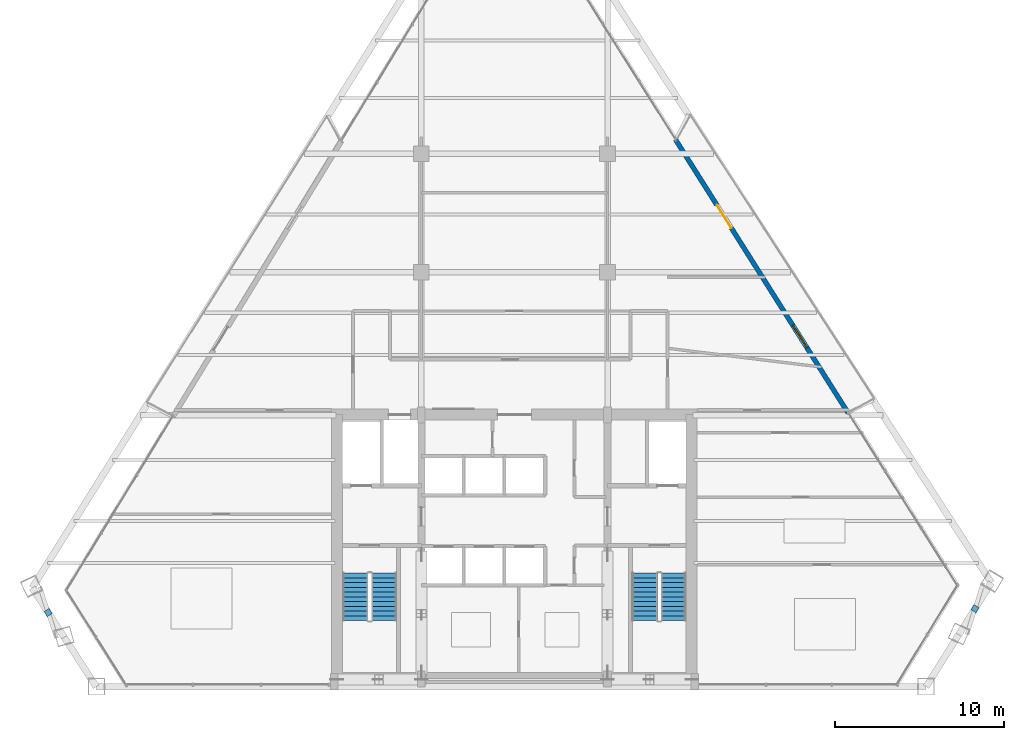
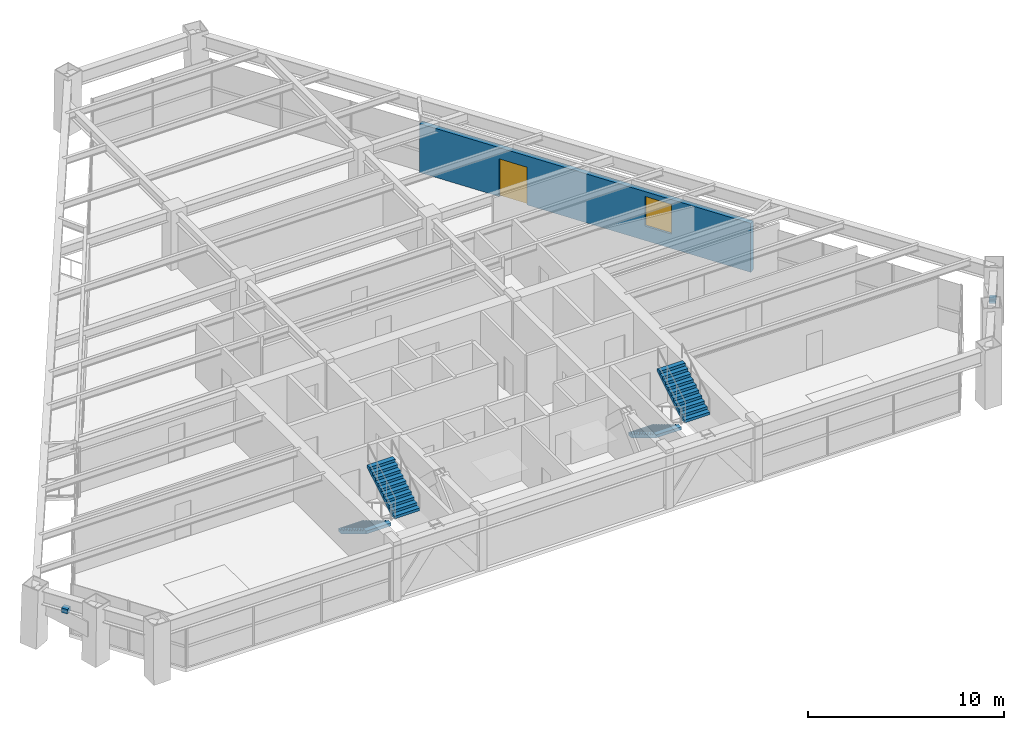
# One storey, part 11 of 13: 4 stair flights, 2 discrete accessories, 1 door, 1 wall, 1 window, 2 openings, 2 elements without a shape of their own.
"""IFC4 building model written with IfcOpenShell, lengths in metres."""

from ifc_helpers import new_model, si_unit, direction, frame, frame_2d, origin, origin_2d, place, context, subcontext, project, spatial, polyline, rectangle, outline, extrude, source, transform, mapped, material, layer, layer_set, type_object, type_shapes, element, fill, aggregate, save


model = new_model("IFC4")

# Units and contexts
model_context = context("Model", 3, precision=1e-05, world=origin(), true_north=direction((0.0, 1.0)))
body_context = subcontext(model_context, "Body", "Model", "MODEL_VIEW")
ifc_project = project(units=[si_unit("LENGTHUNIT", "METRE"), si_unit("AREAUNIT", "SQUARE_METRE"), si_unit("VOLUMEUNIT", "CUBIC_METRE"), si_unit("PLANEANGLEUNIT", "RADIAN"), si_unit("MASSUNIT", "GRAM", prefix="KILO")], contexts=[model_context])

# Site, building, storey
site_placement = place(None, origin())
site = spatial("IfcSite", under=ifc_project, at=site_placement, CompositionType="ELEMENT")
building_placement = place(site_placement, origin())
building = spatial("IfcBuilding", under=site, at=building_placement, Name="Varnakhor Terracotta Tower", CompositionType="ELEMENT")
storey_placement = place(building_placement, frame((0.0, 0.0, 200.60009765625)))
storey = spatial("IfcBuildingStorey", under=building, at=storey_placement, Name="L51", CompositionType="ELEMENT", Elevation=200.60009765625)

# Wall, openings, door, window
ifc_material_1 = material(Name="Extruded Architectural Terracotta Assembly", Category="masonry")
ifc_layer = layer(ifc_material_1, 0.280029296875, Name="Extruded Architectural Terracotta Assembly")
ifc_layer_set = layer_set([ifc_layer], Name="Extruded Architectural Terracotta Assembly")
wall_type = type_object("IfcWallType", Name="WAL-EXT-TERRACOTTA-280", PredefinedType="SOLIDWALL", material=ifc_layer_set)
wall_placement = place(storey_placement, frame((9.51708984375, 32.3359375, 0.0), z_axis=(0.0, 0.0, 1.0), x_axis=(0.533881383678, -0.845559381807, 0.0)))
wall = element("IfcWall", 1, at=wall_placement, inside=storey, type_object=wall_type, Name="L51 E Loggia Insulated Terracotta Wall", PredefinedType="SOLIDWALL", context=body_context, shape_type="SweptSolid", body=[
    extrude(rectangle(XDim=19.0947265625, YDim=0.280029296875, at=frame_2d((9.54736328125, 0.0))), origin(), (0.0, 0.0, 1.0), 3.0498046875),
])
opening_1_placement = place(wall_placement, frame((4.582763671875, 0.0, 0.0)))
opening_1 = element("IfcOpeningElement", 2, at=opening_1_placement, cuts=wall, Name="Opening DR-62", PredefinedType="OPENING", context=body_context, shape_type="SweptSolid", body=[
    extrude(rectangle(XDim=1.60009765625, YDim=2.35009765625, at=frame_2d((0.800048828125, 1.175048828125))), frame((0.0, 0.14990234375, 0.0), z_axis=(0.0, -1.0, 0.0), x_axis=(1.0, 0.0, 0.0)), (0.0, 0.0, 1.0), 0.300048828125),
])
opening_2_placement = place(wall_placement, frame((12.984619140625, 0.0, 0.89990234375)))
opening_2 = element("IfcOpeningElement", 3, at=opening_2_placement, cuts=wall, Name="Opening WN-57", PredefinedType="OPENING", context=body_context, shape_type="SweptSolid", body=[
    extrude(rectangle(XDim=1.550048828125, YDim=1.85009765625, at=frame_2d((0.77490234375, 0.925048828125))), frame((0.0, 0.14990234375, 0.0), z_axis=(0.0, -1.0, 0.0), x_axis=(1.0, 0.0, 0.0)), (0.0, 0.0, 1.0), 0.300048828125),
])
ifc_material_2 = material(Name="Thermally Broken Sliding Glass Loggia Door", Category="glass")
door_type = type_object("IfcDoorType", Name="DR-EXT-LOGGIA-1600X2350", OperationType="NOTDEFINED", PredefinedType="DOOR", material=ifc_material_2)
shared_shape_1 = source(origin(), body_context, "Body", "SweptSolid", [
    extrude(rectangle(XDim=1.60009765625, YDim=2.35009765625, at=frame_2d((0.800048828125, 1.175048828125))), frame((0.0, 0.02490234375, 0.0), z_axis=(0.0, -1.0, 0.0), x_axis=(1.0, 0.0, 0.0)), (0.0, 0.0, 1.0), 0.050048828125),
])
type_shapes(door_type, [shared_shape_1])
door_placement = place(opening_1_placement, origin())
door = element("IfcDoor", 4, at=door_placement, inside=storey, type_object=door_type, Name="L51 E Recessed Loggia Sliding Door", OperationType="SLIDING_TO_RIGHT", OverallHeight=2.35009765625, OverallWidth=1.60009765625, PredefinedType="DOOR", context=body_context, shape_type="MappedRepresentation", body=[
    mapped(shared_shape_1, transform((0.0, 0.0, 0.0), scale=1.0)),
])
fill(opening_1, door)
ifc_material_3 = material(Name="Solar-Control Low-E Insulated Glass Unit", Category="glass")
window_type = type_object("IfcWindowType", Name="WIN-OFF-1650X2100", PartitioningType="SINGLE_PANEL", PredefinedType="WINDOW", material=ifc_material_3)
shared_shape_2 = source(origin(), body_context, "Body", "SweptSolid", [
    extrude(rectangle(XDim=1.550048828125, YDim=1.85009765625, at=frame_2d((0.77490234375, 0.925048828125))), frame((0.0, 0.030029296875, 0.0), z_axis=(0.0, -1.0, 0.0), x_axis=(1.0, 0.0, 0.0)), (0.0, 0.0, 1.0), 0.06005859375),
])
type_shapes(window_type, [shared_shape_2])
window_placement = place(opening_2_placement, origin())
window = element("IfcWindow", 5, at=window_placement, inside=storey, type_object=window_type, Name="L51 E Facet Punched Window", OverallHeight=1.85009765625, OverallWidth=1.550048828125, PartitioningType="SINGLE_PANEL", PredefinedType="WINDOW", context=body_context, shape_type="MappedRepresentation", body=[
    mapped(shared_shape_2, transform((0.0, 0.0, 0.0), scale=1.0)),
])
fill(opening_2, window)

# Stair, stair flights
ifc_material_4 = material(Name="Concrete C40/50", Category="concrete")
stair_type = type_object("IfcStairType", Name="STR-CORE-OFFICE-1500", PredefinedType="HALF_TURN_STAIR", material=ifc_material_4)
stair_1_placement = place(storey_placement, origin())
stair_1 = element("IfcStair", 6, at=stair_1_placement, inside=storey, type_object=stair_type, Name="L51 Core Exit Stair ST-1", PredefinedType="HALF_TURN_STAIR")
stair_flight_type = type_object("IfcStairFlightType", Name="FLT-CORE-1500", PredefinedType="STRAIGHT", material=ifc_material_4)
stair_flight_1_placement = place(storey_placement, frame((-9.39990234375, 6.7099609375, 0.0), z_axis=(0.0, 0.0, 1.0), x_axis=(0.0, -1.0, 0.0)))
stair_flight_1 = element("IfcStairFlight", 7, at=stair_flight_1_placement, type_object=stair_flight_type, Name="ST-1 flight 1", NumberOfRisers=11, NumberOfTreads=10, PredefinedType="STRAIGHT", RiserHeight=0.168181818, TreadLength=0.28, context=body_context, shape_type="SweptSolid", body=[
    extrude(outline(polyline([(0.0, 0.0), (0.0, 0.168212890625), (0.280029296875, 0.168212890625), (0.280029296875, 0.33642578125), (0.56005859375, 0.33642578125), (0.56005859375, 0.504638671875), (0.840087890625, 0.504638671875), (0.840087890625, 0.672607421875), (1.1201171875, 0.672607421875), (1.1201171875, 0.8408203125), (1.39990234375, 0.8408203125), (1.39990234375, 1.009033203125), (1.679931640625, 1.009033203125), (1.679931640625, 1.17724609375), (1.9599609375, 1.17724609375), (1.9599609375, 1.345458984375), (2.239990234375, 1.345458984375), (2.239990234375, 1.513671875), (2.52001953125, 1.513671875), (2.52001953125, 1.681884765625), (2.800048828125, 1.681884765625), (2.800048828125, 1.85009765625), (2.800048828125, 1.495361328125), (0.310546875, 0.0), (0.0, 0.0)])), frame((0.0, 0.75, 0.0), z_axis=(0.0, -1.0, 0.0), x_axis=(1.0, 0.0, 0.0)), (0.0, 0.0, 1.0), 1.5),
])
stair_flight_2_placement = place(storey_placement, frame((-7.699951171875, 3.909912109375, 1.849853515625), z_axis=(0.0, 0.0, 1.0), x_axis=(0.0, 1.0, 0.0)))
stair_flight_2 = element("IfcStairFlight", 8, at=stair_flight_2_placement, type_object=stair_flight_type, Name="ST-1 flight 2", NumberOfRisers=11, NumberOfTreads=10, PredefinedType="STRAIGHT", RiserHeight=0.168181818, TreadLength=0.28, context=body_context, shape_type="SweptSolid", body=[
    extrude(outline(polyline([(0.0, 0.0), (0.0, 0.168212890625), (0.280029296875, 0.168212890625), (0.280029296875, 0.33642578125), (0.56005859375, 0.33642578125), (0.56005859375, 0.504638671875), (0.840087890625, 0.504638671875), (0.840087890625, 0.672607421875), (1.1201171875, 0.672607421875), (1.1201171875, 0.8408203125), (1.39990234375, 0.8408203125), (1.39990234375, 1.009033203125), (1.679931640625, 1.009033203125), (1.679931640625, 1.17724609375), (1.9599609375, 1.17724609375), (1.9599609375, 1.345458984375), (2.239990234375, 1.345458984375), (2.239990234375, 1.513671875), (2.52001953125, 1.513671875), (2.52001953125, 1.681884765625), (2.800048828125, 1.681884765625), (2.800048828125, 1.85009765625), (2.800048828125, 1.495361328125), (0.310546875, 0.0), (0.0, 0.0)])), frame((0.0, 0.75, 0.0), z_axis=(0.0, -1.0, 0.0), x_axis=(1.0, 0.0, 0.0)), (0.0, 0.0, 1.0), 1.5),
])
aggregate(stair_1, [stair_flight_1, stair_flight_2])

stair_2_placement = place(storey_placement, origin())
stair_2 = element("IfcStair", 9, at=stair_2_placement, inside=storey, type_object=stair_type, Name="L51 Core Exit Stair ST-2", PredefinedType="HALF_TURN_STAIR")
stair_flight_3_placement = place(storey_placement, frame((7.699951171875, 6.7099609375, 0.0), z_axis=(0.0, 0.0, 1.0), x_axis=(0.0, -1.0, 0.0)))
stair_flight_3 = element("IfcStairFlight", 10, at=stair_flight_3_placement, type_object=stair_flight_type, Name="ST-2 flight 1", NumberOfRisers=11, NumberOfTreads=10, PredefinedType="STRAIGHT", RiserHeight=0.168181818, TreadLength=0.28, context=body_context, shape_type="SweptSolid", body=[
    extrude(outline(polyline([(0.0, 0.0), (0.0, 0.168212890625), (0.280029296875, 0.168212890625), (0.280029296875, 0.33642578125), (0.56005859375, 0.33642578125), (0.56005859375, 0.504638671875), (0.840087890625, 0.504638671875), (0.840087890625, 0.672607421875), (1.1201171875, 0.672607421875), (1.1201171875, 0.8408203125), (1.39990234375, 0.8408203125), (1.39990234375, 1.009033203125), (1.679931640625, 1.009033203125), (1.679931640625, 1.17724609375), (1.9599609375, 1.17724609375), (1.9599609375, 1.345458984375), (2.239990234375, 1.345458984375), (2.239990234375, 1.513671875), (2.52001953125, 1.513671875), (2.52001953125, 1.681884765625), (2.800048828125, 1.681884765625), (2.800048828125, 1.85009765625), (2.800048828125, 1.495361328125), (0.310546875, 0.0), (0.0, 0.0)])), frame((0.0, 0.75, 0.0), z_axis=(0.0, -1.0, 0.0), x_axis=(1.0, 0.0, 0.0)), (0.0, 0.0, 1.0), 1.5),
])
stair_flight_4_placement = place(storey_placement, frame((9.39990234375, 3.909912109375, 1.849853515625), z_axis=(0.0, 0.0, 1.0), x_axis=(0.0, 1.0, 0.0)))
stair_flight_4 = element("IfcStairFlight", 11, at=stair_flight_4_placement, type_object=stair_flight_type, Name="ST-2 flight 2", NumberOfRisers=11, NumberOfTreads=10, PredefinedType="STRAIGHT", RiserHeight=0.168181818, TreadLength=0.28, context=body_context, shape_type="SweptSolid", body=[
    extrude(outline(polyline([(0.0, 0.0), (0.0, 0.168212890625), (0.280029296875, 0.168212890625), (0.280029296875, 0.33642578125), (0.56005859375, 0.33642578125), (0.56005859375, 0.504638671875), (0.840087890625, 0.504638671875), (0.840087890625, 0.672607421875), (1.1201171875, 0.672607421875), (1.1201171875, 0.8408203125), (1.39990234375, 0.8408203125), (1.39990234375, 1.009033203125), (1.679931640625, 1.009033203125), (1.679931640625, 1.17724609375), (1.9599609375, 1.17724609375), (1.9599609375, 1.345458984375), (2.239990234375, 1.345458984375), (2.239990234375, 1.513671875), (2.52001953125, 1.513671875), (2.52001953125, 1.681884765625), (2.800048828125, 1.681884765625), (2.800048828125, 1.85009765625), (2.800048828125, 1.495361328125), (0.310546875, 0.0), (0.0, 0.0)])), frame((0.0, 0.75, 0.0), z_axis=(0.0, -1.0, 0.0), x_axis=(1.0, 0.0, 0.0)), (0.0, 0.0, 1.0), 1.5),
])
aggregate(stair_2, [stair_flight_3, stair_flight_4])

# Discrete accessories
ifc_material_5 = material(Name="Stainless Steel Fixing Bracket", Category="steel")
discrete_accessory_type = type_object("IfcDiscreteAccessoryType", Name="BRACKET-TERRACOTTA-SCREEN", PredefinedType="BRACKET", material=ifc_material_5)
shared_shape_3 = source(origin(), body_context, "Body", "SweptSolid", [
    extrude(rectangle(XDim=0.35009765625, YDim=0.35009765625, at=origin_2d()), origin(), (0.0, 0.0, 1.0), 0.280029296875),
])
type_shapes(discrete_accessory_type, [shared_shape_3])
for number, where, z_axis, x_axis, name in (
    (12, (27.217529296875, 4.612060546875, 2.48486328125), (0.0, 0.0, 1.0), (0.531117634038, 0.847298093243, 0.0), "L51 E Screen Fixing Bracket"),
    (13, (-27.554443359375, 4.3818359375, 2.48486328125), (0.0, 0.0, 1.0), (0.543482150213, -0.839420724309, 0.0), "L51 W Screen Fixing Bracket"),
):
    element("IfcDiscreteAccessory", number, at=place(storey_placement, frame(where, z_axis=z_axis, x_axis=x_axis)), inside=storey, type_object=discrete_accessory_type, Name=name, PredefinedType="BRACKET", context=body_context, shape_type="MappedRepresentation", body=[
        mapped(shared_shape_3, transform((0.0, 0.0, 0.0), scale=1.0)),
    ])

save(model, "model.ifc")
